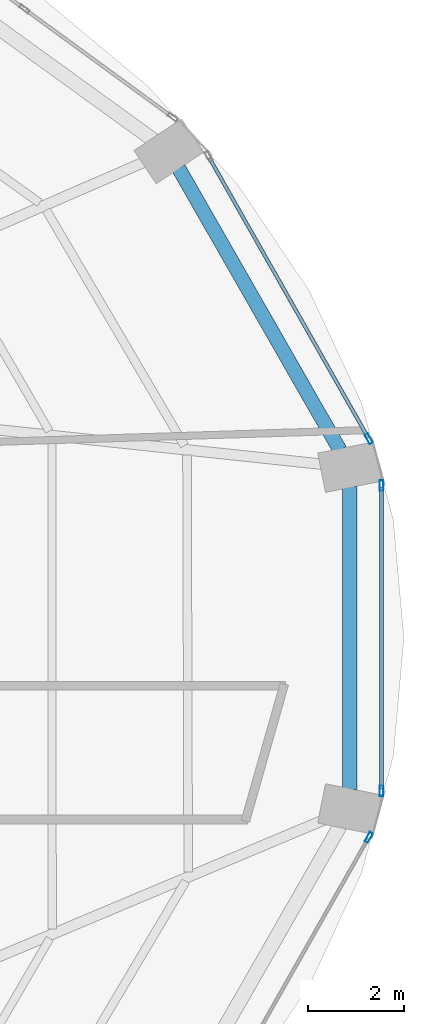
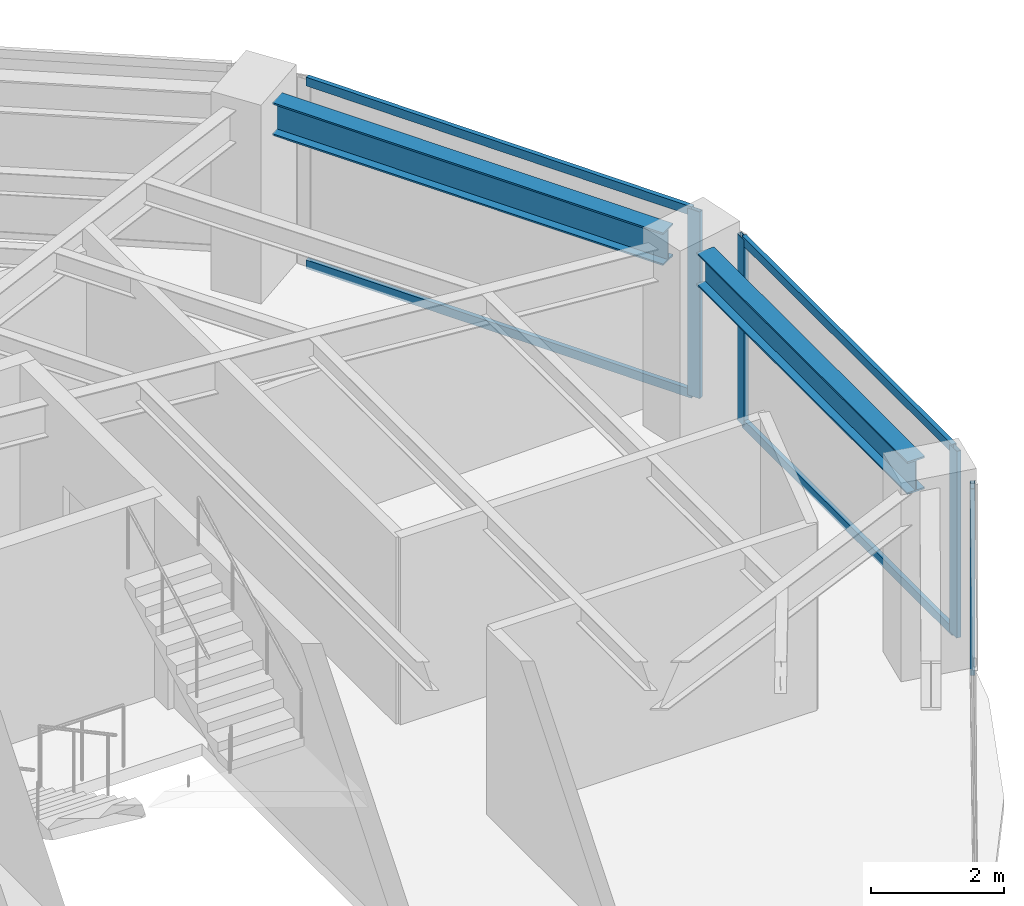
# One storey, part 13 of 24: 8 members, 2 beams, 3 elements without a shape of their own.
"""IFC4 building model written with IfcOpenShell, lengths in metres."""

from ifc_helpers import new_model, si_unit, direction, frame, origin, origin_2d, place, context, subcontext, project, spatial, hollow_rectangle, i_section, extrude, material, layer, layer_set, material_profile, profile_set, type_object, element, aggregate, save


model = new_model("IFC4")

# Units and contexts
model_context = context("Model", 3, precision=1e-05, world=origin(), true_north=direction((0.0, 1.0)))
body_context = subcontext(model_context, "Body", "Model", "MODEL_VIEW")
ifc_project = project(units=[si_unit("LENGTHUNIT", "METRE"), si_unit("AREAUNIT", "SQUARE_METRE"), si_unit("VOLUMEUNIT", "CUBIC_METRE"), si_unit("PLANEANGLEUNIT", "RADIAN"), si_unit("MASSUNIT", "GRAM", prefix="KILO")], contexts=[model_context])

# Site, building, storey
site_placement = place(None, origin())
site = spatial("IfcSite", under=ifc_project, at=site_placement, CompositionType="ELEMENT")
building_placement = place(site_placement, origin())
building = spatial("IfcBuilding", under=site, at=building_placement, Name="Lazwardi Medical Tower", CompositionType="ELEMENT")
storey_placement = place(building_placement, frame((0.0, 0.0, 96.3359375)))
storey = spatial("IfcBuildingStorey", under=building, at=storey_placement, Name="L24", CompositionType="ELEMENT", Elevation=96.3359375)

# Beams
ifc_material_1 = material(Name="Steel S355", Category="steel")
ifc_material_profile_1 = material_profile(ifc_material_1, i_section(OverallWidth=0.300048828125, OverallDepth=0.60009765625, WebThickness=0.015380859375, FlangeThickness=0.030029296875, at=origin_2d()), Name="HEB 600")
ifc_profile_set_1 = profile_set([ifc_material_profile_1], Name="Steel S355")
beam_type = type_object("IfcBeamType", Name="BM-RB-Z2", PredefinedType="BEAM", material=ifc_profile_set_1)
beam_1_placement = place(storey_placement, frame((60.86279296875, 27.22998046875, 3.128173828125), z_axis=(0.0, 1.0, 0.0), x_axis=(-1.0, 0.0, 0.0)))
element("IfcBeam", 1, at=beam_1_placement, inside=storey, type_object=beam_type, Name="Ring beam RB-03 B04 L24", PredefinedType="BEAM", context=body_context, shape_type="SweptSolid", body=[
    extrude(i_section(OverallWidth=0.300048828125, OverallDepth=0.60009765625, WebThickness=0.015380859375, FlangeThickness=0.030029296875, at=origin_2d()), origin(), (0.0, 0.0, 1.0), 6.33984375),
])
beam_2_placement = place(storey_placement, frame((60.6591796875, 34.335693359375, 3.128173828125), z_axis=(-0.496637551254, 0.867958030486, 0.0), x_axis=(-0.867958030486, -0.496637551254, 0.0)))
element("IfcBeam", 2, at=beam_2_placement, inside=storey, type_object=beam_type, Name="Ring beam RB-03 B05 L24", PredefinedType="BEAM", context=body_context, shape_type="SweptSolid", body=[
    extrude(i_section(OverallWidth=0.300048828125, OverallDepth=0.60009765625, WebThickness=0.015380859375, FlangeThickness=0.030029296875, at=origin_2d()), origin(), (0.0, 0.0, 1.0), 6.801025390625),
])

# Curtain wall, member
ifc_material_2 = material(Name="Anodised bronze aluminium and solar control glazing", Category="aluminium")
ifc_layer = layer(ifc_material_2, 0.195068359375)
ifc_layer_set = layer_set([ifc_layer], Name="Anodised bronze aluminium and solar control glazing")
curtain_wall_type = type_object("IfcCurtainWallType", Name="CW-SYS-03", PredefinedType="NOTDEFINED", material=ifc_layer_set)
curtain_wall_1_placement = place(storey_placement, origin())
curtain_wall_1 = element("IfcCurtainWall", 3, at=curtain_wall_1_placement, inside=storey, type_object=curtain_wall_type, Name="L24 Unitised bronze curtain wall CW-03", PredefinedType="NOTDEFINED")
ifc_material_3 = material(Name="Anodised bronze aluminium", Category="aluminium")
ifc_material_profile_2 = material_profile(ifc_material_3, hollow_rectangle(XDim=0.074951171875, YDim=0.219970703125, WallThickness=0.00390625, at=origin_2d()), Name="ALU-MULLION 220x75x4")
ifc_profile_set_2 = profile_set([ifc_material_profile_2], Name="Anodised bronze aluminium")
member_type_1 = type_object("IfcMemberType", Name="CW-MUL-01", PredefinedType="MULLION", material=ifc_profile_set_2)
member_1_placement = place(storey_placement, frame((61.2626953125, 26.22607421875, 0.0), z_axis=(0.0, 0.0, 1.0), x_axis=(-0.869687265712, 0.493603140041, 0.0)))
member_1 = element("IfcMember", 4, at=member_1_placement, type_object=member_type_1, Name="CW-03 mullion 2", PredefinedType="MULLION", context=body_context, shape_type="SweptSolid", body=[
    extrude(hollow_rectangle(XDim=0.074951171875, YDim=0.219970703125, WallThickness=0.00390625, at=origin_2d()), origin(), (0.0, 0.0, 1.0), 3.427978515625),
])
aggregate(curtain_wall_1, [member_1])

# Curtain wall, members
curtain_wall_2_placement = place(storey_placement, origin())
curtain_wall_2 = element("IfcCurtainWall", 5, at=curtain_wall_2_placement, inside=storey, type_object=curtain_wall_type, Name="L24 Unitised bronze curtain wall CW-03", PredefinedType="NOTDEFINED")
member_2_placement = place(storey_placement, frame((61.528076171875, 27.20263671875, 0.0), z_axis=(0.0, 0.0, 1.0), x_axis=(-1.0, 0.0, 0.0)))
member_2 = element("IfcMember", 6, at=member_2_placement, type_object=member_type_1, Name="CW-03 mullion 1", PredefinedType="MULLION", context=body_context, shape_type="SweptSolid", body=[
    extrude(hollow_rectangle(XDim=0.074951171875, YDim=0.219970703125, WallThickness=0.00390625, at=origin_2d()), origin(), (0.0, 0.0, 1.0), 3.427978515625),
])
member_3_placement = place(storey_placement, frame((61.528076171875, 33.597412109375, 0.0), z_axis=(0.0, 0.0, 1.0), x_axis=(-1.0, 0.0, 0.0)))
member_3 = element("IfcMember", 7, at=member_3_placement, type_object=member_type_1, Name="CW-03 mullion 2", PredefinedType="MULLION", context=body_context, shape_type="SweptSolid", body=[
    extrude(hollow_rectangle(XDim=0.074951171875, YDim=0.219970703125, WallThickness=0.00390625, at=origin_2d()), origin(), (0.0, 0.0, 1.0), 3.427978515625),
])

# Curtain wall, member
curtain_wall_3_placement = place(storey_placement, origin())
curtain_wall_3 = element("IfcCurtainWall", 8, at=curtain_wall_3_placement, inside=storey, type_object=curtain_wall_type, Name="L24 Unitised bronze curtain wall CW-03", PredefinedType="NOTDEFINED")
member_4_placement = place(storey_placement, frame((61.2626953125, 34.57373046875, 0.0), z_axis=(0.0, 0.0, 1.0), x_axis=(-0.869687265712, -0.493603140041, 0.0)))
member_4 = element("IfcMember", 9, at=member_4_placement, type_object=member_type_1, Name="CW-03 mullion 1", PredefinedType="MULLION", context=body_context, shape_type="SweptSolid", body=[
    extrude(hollow_rectangle(XDim=0.074951171875, YDim=0.219970703125, WallThickness=0.00390625, at=origin_2d()), origin(), (0.0, 0.0, 1.0), 3.427978515625),
])

# Member
ifc_material_profile_3 = material_profile(ifc_material_3, hollow_rectangle(XDim=0.074951171875, YDim=0.159912109375, WallThickness=0.00390625, at=origin_2d()), Name="ALU-TRANSOM 160x75x4")
ifc_profile_set_3 = profile_set([ifc_material_profile_3], Name="Anodised bronze aluminium")
member_type_2 = type_object("IfcMemberType", Name="CW-TRN-01", PredefinedType="USERDEFINED", material=ifc_profile_set_3)
member_5_placement = place(storey_placement, frame((61.528076171875, 27.239990234375, 0.03759765625), z_axis=(0.0, 1.0, 0.0), x_axis=(-1.0, 0.0, 0.0)))
member_5 = element("IfcMember", 10, at=member_5_placement, type_object=member_type_2, Name="CW-03 transom 1.1", ObjectType="TRANSOM", PredefinedType="USERDEFINED", context=body_context, shape_type="SweptSolid", body=[
    extrude(hollow_rectangle(XDim=0.074951171875, YDim=0.159912109375, WallThickness=0.00390625, at=origin_2d()), origin(), (0.0, 0.0, 1.0), 6.31982421875),
])

member_6_placement = place(storey_placement, frame((61.528076171875, 27.239990234375, 3.390625), z_axis=(0.0, 1.0, 0.0), x_axis=(-1.0, 0.0, 0.0)))
member_6 = element("IfcMember", 11, at=member_6_placement, type_object=member_type_2, Name="CW-03 transom 1.2", ObjectType="TRANSOM", PredefinedType="USERDEFINED", context=body_context, shape_type="SweptSolid", body=[
    extrude(hollow_rectangle(XDim=0.074951171875, YDim=0.159912109375, WallThickness=0.00390625, at=origin_2d()), origin(), (0.0, 0.0, 1.0), 6.31982421875),
])

aggregate(curtain_wall_2, [member_2, member_3, member_5, member_6])

member_7_placement = place(storey_placement, frame((61.244140625, 34.6064453125, 0.03759765625), z_axis=(-0.493614427365, 0.869680859337, 0.0), x_axis=(-0.869680859337, -0.493614427365, 0.0)))
member_7 = element("IfcMember", 12, at=member_7_placement, type_object=member_type_2, Name="CW-03 transom 1.1", ObjectType="TRANSOM", PredefinedType="USERDEFINED", context=body_context, shape_type="SweptSolid", body=[
    extrude(hollow_rectangle(XDim=0.074951171875, YDim=0.159912109375, WallThickness=0.00390625, at=origin_2d()), origin(), (0.0, 0.0, 1.0), 6.72314453125),
])

member_8_placement = place(storey_placement, frame((61.244140625, 34.6064453125, 3.390625), z_axis=(-0.493614427365, 0.869680859337, 0.0), x_axis=(-0.869680859337, -0.493614427365, 0.0)))
member_8 = element("IfcMember", 13, at=member_8_placement, type_object=member_type_2, Name="CW-03 transom 1.2", ObjectType="TRANSOM", PredefinedType="USERDEFINED", context=body_context, shape_type="SweptSolid", body=[
    extrude(hollow_rectangle(XDim=0.074951171875, YDim=0.159912109375, WallThickness=0.00390625, at=origin_2d()), origin(), (0.0, 0.0, 1.0), 6.72314453125),
])

aggregate(curtain_wall_3, [member_4, member_7, member_8])

save(model, "model.ifc")
